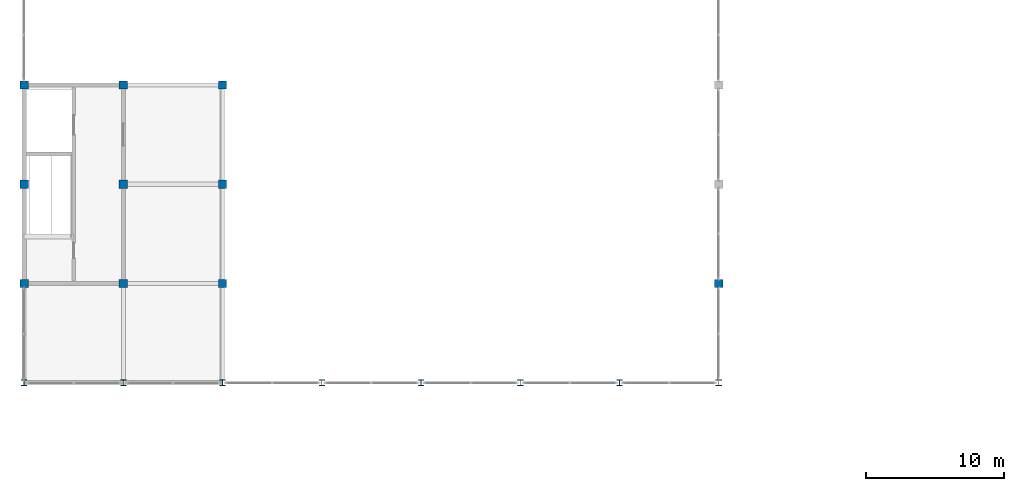
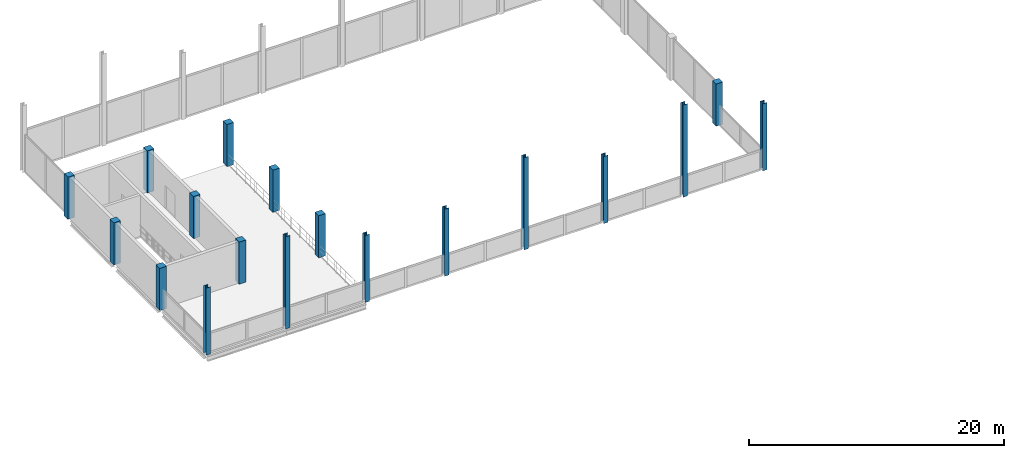
# One storey, part 3 of 51: 18 columns.
"""IFC4 building model written with IfcOpenShell, lengths in metres."""

from ifc_helpers import new_model, si_unit, direction, frame, origin, origin_2d, place, context, subcontext, project, spatial, rectangle, i_section, extrude, material, material_profile, profile_set, type_object, element, save


model = new_model("IFC4")

# Units and contexts
model_context = context("Model", 3, precision=1e-05, world=origin(), true_north=direction((0.0, 1.0)))
body_context = subcontext(model_context, "Body", "Model", "MODEL_VIEW")
ifc_project = project(units=[si_unit("LENGTHUNIT", "METRE"), si_unit("AREAUNIT", "SQUARE_METRE"), si_unit("VOLUMEUNIT", "CUBIC_METRE"), si_unit("PLANEANGLEUNIT", "RADIAN"), si_unit("MASSUNIT", "GRAM", prefix="KILO")], contexts=[model_context])

# Site, building, storey
site_placement = place(None, origin())
site = spatial("IfcSite", under=ifc_project, at=site_placement, CompositionType="ELEMENT")
building_placement = place(site_placement, origin())
building = spatial("IfcBuilding", under=site, at=building_placement, Name="Vesperath Aquatics Centre", CompositionType="ELEMENT")
storey_placement = place(building_placement, frame((0.0, 0.0, 15.0)))
storey = spatial("IfcBuildingStorey", under=building, at=storey_placement, Name="L03", CompositionType="ELEMENT", Elevation=15.0)

# Columns
ifc_material_1 = material(Name="Concrete C40", Category="concrete")
ifc_material_profile_1 = material_profile(ifc_material_1, rectangle(XDim=0.60009765625, YDim=0.60009765625, at=origin_2d()), Name="RC 600x600")
ifc_profile_set_1 = profile_set([ifc_material_profile_1], Name="Concrete C40")
column_type_1 = type_object("IfcColumnType", Name="CL-C06", PredefinedType="COLUMN", material=ifc_profile_set_1)
for number, where, z_axis, x_axis, name in (
    (1, (7.199951171875, 93.60009765625, 0.0), (0.0, 0.0, 1.0), (1.0, 0.0, 0.0), "Column C06 L03 2/P"),
    (2, (7.199951171875, 100.800048828125, 0.0), (0.0, 0.0, 1.0), (1.0, 0.0, 0.0), "Column C06 L03 2/Q"),
    (3, (7.199951171875, 108.0, 0.0), (0.0, 0.0, 1.0), (1.0, 0.0, 0.0), "Column C06 L03 2/R"),
    (4, (14.39990234375, 93.60009765625, 0.0), (0.0, 0.0, 1.0), (1.0, 0.0, 0.0), "Column C06 L03 3/P"),
    (5, (14.39990234375, 100.800048828125, 0.0), (0.0, 0.0, 1.0), (1.0, 0.0, 0.0), "Column C06 L03 3/Q"),
    (6, (14.39990234375, 108.0, 0.0), (0.0, 0.0, 1.0), (1.0, 0.0, 0.0), "Column C06 L03 3/R"),
    (7, (21.60009765625, 93.60009765625, 0.0), (0.0, 0.0, 1.0), (1.0, 0.0, 0.0), "Column C06 L03 4/P"),
    (8, (21.60009765625, 100.800048828125, 0.0), (0.0, 0.0, 1.0), (1.0, 0.0, 0.0), "Column C06 L03 4/Q"),
    (9, (21.60009765625, 108.0, 0.0), (0.0, 0.0, 1.0), (1.0, 0.0, 0.0), "Column C06 L03 4/R"),
    (10, (57.60009765625, 93.60009765625, 0.0), (0.0, 0.0, 1.0), (1.0, 0.0, 0.0), "Column C06 L03 9/P"),
):
    element("IfcColumn", number, at=place(storey_placement, frame(where, z_axis=z_axis, x_axis=x_axis)), inside=storey, type_object=column_type_1, Name=name, PredefinedType="COLUMN", context=body_context, shape_type="SweptSolid", body=[
        extrude(rectangle(XDim=0.60009765625, YDim=0.60009765625, at=origin_2d()), origin(), (0.0, 0.0, 1.0), 4.0400390625),
    ])
ifc_material_2 = material(Name="Steel Q355D", Category="steel")
ifc_material_profile_2 = material_profile(ifc_material_2, i_section(OverallWidth=0.406982421875, OverallDepth=0.427978515625, WebThickness=0.02001953125, FlangeThickness=0.034912109375, FilletRadius=0.02197265625, at=origin_2d()), Name="HW 428x407x20x35")
ifc_profile_set_2 = profile_set([ifc_material_profile_2], Name="Steel Q355D")
column_type_2 = type_object("IfcColumnType", Name="CL-C09", PredefinedType="COLUMN", material=ifc_profile_set_2)
column_1_placement = place(storey_placement, frame((7.199951171875, 86.39990234375, 0.0), z_axis=(0.0, 0.0, 1.0), x_axis=(1.0, 0.0, 0.0)))
element("IfcColumn", 11, at=column_1_placement, inside=storey, type_object=column_type_2, Name="Column C09 L03 2/N", PredefinedType="COLUMN", context=body_context, shape_type="SweptSolid", body=[
    extrude(i_section(OverallWidth=0.406982421875, OverallDepth=0.427978515625, WebThickness=0.02001953125, FlangeThickness=0.034912109375, FilletRadius=0.02197265625, at=origin_2d()), origin(), (0.0, 0.0, 1.0), 6.425048828125),
])
column_2_placement = place(storey_placement, frame((14.39990234375, 86.39990234375, 0.0), z_axis=(0.0, 0.0, 1.0), x_axis=(1.0, 0.0, 0.0)))
element("IfcColumn", 12, at=column_2_placement, inside=storey, type_object=column_type_2, Name="Column C09 L03 3/N", PredefinedType="COLUMN", context=body_context, shape_type="SweptSolid", body=[
    extrude(i_section(OverallWidth=0.406982421875, OverallDepth=0.427978515625, WebThickness=0.02001953125, FlangeThickness=0.034912109375, FilletRadius=0.02197265625, at=origin_2d()), origin(), (0.0, 0.0, 1.0), 8.824951171875),
])
for number, where, z_axis, x_axis, name in (
    (13, (21.60009765625, 86.39990234375, 0.0), (0.0, 0.0, 1.0), (1.0, 0.0, 0.0), "Column C09 L03 4/N"),
    (14, (28.800048828125, 86.39990234375, 0.0), (0.0, 0.0, 1.0), (1.0, 0.0, 0.0), "Column C09 L03 5/N"),
):
    element("IfcColumn", number, at=place(storey_placement, frame(where, z_axis=z_axis, x_axis=x_axis)), inside=storey, type_object=column_type_2, Name=name, PredefinedType="COLUMN", context=body_context, shape_type="SweptSolid", body=[
        extrude(i_section(OverallWidth=0.406982421875, OverallDepth=0.427978515625, WebThickness=0.02001953125, FlangeThickness=0.034912109375, FilletRadius=0.02197265625, at=origin_2d()), origin(), (0.0, 0.0, 1.0), 6.425048828125),
    ])
column_3_placement = place(storey_placement, frame((36.0, 86.39990234375, 0.0), z_axis=(0.0, 0.0, 1.0), x_axis=(1.0, 0.0, 0.0)))
element("IfcColumn", 15, at=column_3_placement, inside=storey, type_object=column_type_2, Name="Column C09 L03 6/N", PredefinedType="COLUMN", context=body_context, shape_type="SweptSolid", body=[
    extrude(i_section(OverallWidth=0.406982421875, OverallDepth=0.427978515625, WebThickness=0.02001953125, FlangeThickness=0.034912109375, FilletRadius=0.02197265625, at=origin_2d()), origin(), (0.0, 0.0, 1.0), 8.824951171875),
])
column_4_placement = place(storey_placement, frame((43.199951171875, 86.39990234375, 0.0), z_axis=(0.0, 0.0, 1.0), x_axis=(1.0, 0.0, 0.0)))
element("IfcColumn", 16, at=column_4_placement, inside=storey, type_object=column_type_2, Name="Column C09 L03 7/N", PredefinedType="COLUMN", context=body_context, shape_type="SweptSolid", body=[
    extrude(i_section(OverallWidth=0.406982421875, OverallDepth=0.427978515625, WebThickness=0.02001953125, FlangeThickness=0.034912109375, FilletRadius=0.02197265625, at=origin_2d()), origin(), (0.0, 0.0, 1.0), 6.425048828125),
])
column_5_placement = place(storey_placement, frame((50.39990234375, 86.39990234375, 0.0), z_axis=(0.0, 0.0, 1.0), x_axis=(1.0, 0.0, 0.0)))
element("IfcColumn", 17, at=column_5_placement, inside=storey, type_object=column_type_2, Name="Column C09 L03 8/N", PredefinedType="COLUMN", context=body_context, shape_type="SweptSolid", body=[
    extrude(i_section(OverallWidth=0.406982421875, OverallDepth=0.427978515625, WebThickness=0.02001953125, FlangeThickness=0.034912109375, FilletRadius=0.02197265625, at=origin_2d()), origin(), (0.0, 0.0, 1.0), 8.824951171875),
])
column_6_placement = place(storey_placement, frame((57.60009765625, 86.39990234375, 0.0), z_axis=(0.0, 0.0, 1.0), x_axis=(1.0, 0.0, 0.0)))
element("IfcColumn", 18, at=column_6_placement, inside=storey, type_object=column_type_2, Name="Column C09 L03 9/N", PredefinedType="COLUMN", context=body_context, shape_type="SweptSolid", body=[
    extrude(i_section(OverallWidth=0.406982421875, OverallDepth=0.427978515625, WebThickness=0.02001953125, FlangeThickness=0.034912109375, FilletRadius=0.02197265625, at=origin_2d()), origin(), (0.0, 0.0, 1.0), 6.425048828125),
])

save(model, "model.ifc")
